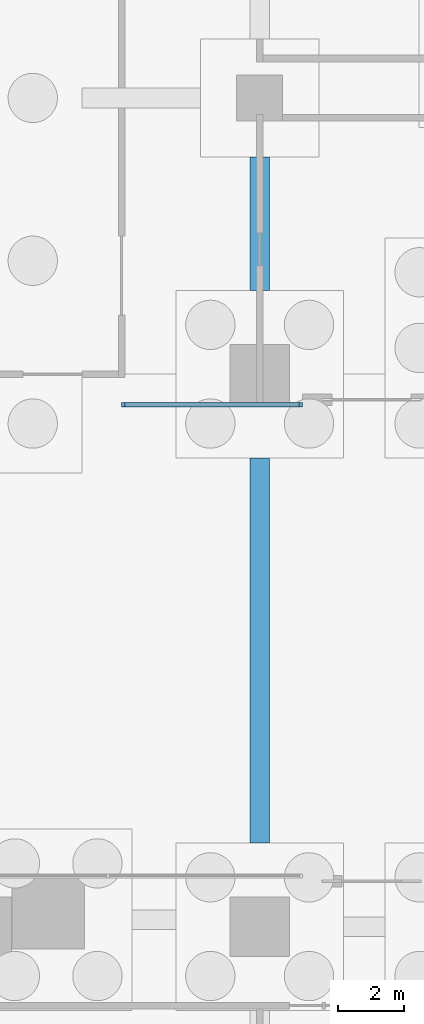
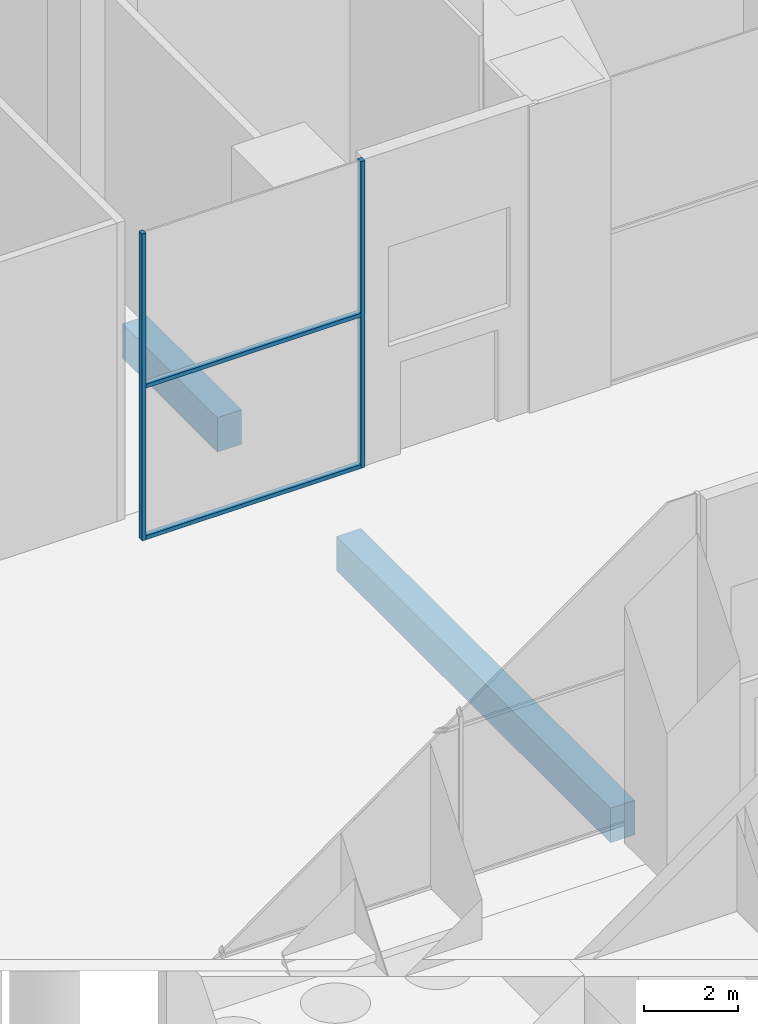
# One storey, part 7 of 31: 4 members, 2 beams, 1 element without a shape of its own.
"""IFC4 building model written with IfcOpenShell, lengths in metres."""

from ifc_helpers import new_model, si_unit, direction, frame, origin, origin_2d, place, context, subcontext, project, spatial, rectangle, extrude, material, layer, layer_set, material_profile, profile_set, type_object, element, aggregate, save


model = new_model("IFC4")

# Units and contexts
model_context = context("Model", 3, precision=1e-05, world=origin(), true_north=direction((0.0, 1.0)))
body_context = subcontext(model_context, "Body", "Model", "MODEL_VIEW")
ifc_project = project(units=[si_unit("LENGTHUNIT", "METRE"), si_unit("AREAUNIT", "SQUARE_METRE"), si_unit("VOLUMEUNIT", "CUBIC_METRE"), si_unit("PLANEANGLEUNIT", "RADIAN"), si_unit("MASSUNIT", "GRAM", prefix="KILO")], contexts=[model_context])

# Site, building, storey
site_placement = place(None, origin())
site = spatial("IfcSite", under=ifc_project, at=site_placement, CompositionType="ELEMENT")
building_placement = place(site_placement, origin())
building = spatial("IfcBuilding", under=site, at=building_placement, Name="Marenta Gate Hotel Tower", CompositionType="ELEMENT")
storey_placement = place(building_placement, origin())
storey = spatial("IfcBuildingStorey", under=building, at=storey_placement, Name="L00", CompositionType="ELEMENT", Elevation=0.0)

# Beams
ifc_material_1 = material(Name="Concrete C40", Category="concrete")
ifc_material_profile_1 = material_profile(ifc_material_1, rectangle(XDim=0.60009765625, YDim=0.89990234375, at=origin_2d()), Name="600 x 900")
ifc_profile_set_1 = profile_set([ifc_material_profile_1], Name="Concrete C40")
beam_type = type_object("IfcBeamType", Name="Ground beam 600 x 900 C40", PredefinedType="BEAM", material=ifc_profile_set_1)
beam_1_placement = place(storey_placement, frame((21.0, -14.25, -0.75), z_axis=(0.0, 1.0, 0.0), x_axis=(-1.0, 0.0, 0.0)))
element("IfcBeam", 1, at=beam_1_placement, inside=storey, type_object=beam_type, Name="L00-GB-67", PredefinedType="BEAM", context=body_context, shape_type="SweptSolid", body=[
    extrude(rectangle(XDim=0.60009765625, YDim=0.89990234375, at=origin_2d()), origin(), (0.0, 0.0, 1.0), 11.699951171875),
])
beam_2_placement = place(storey_placement, frame((21.0, 2.550048828125, -0.75), z_axis=(0.0, 1.0, 0.0), x_axis=(-1.0, 0.0, 0.0)))
element("IfcBeam", 2, at=beam_2_placement, inside=storey, type_object=beam_type, Name="L00-GB-68", PredefinedType="BEAM", context=body_context, shape_type="SweptSolid", body=[
    extrude(rectangle(XDim=0.60009765625, YDim=0.89990234375, at=origin_2d()), origin(), (0.0, 0.0, 1.0), 4.050048828125),
])

# Curtain wall, members
ifc_material_2 = material(Name="Tinted insulated glass in bronze anodised frame", Category="glass")
ifc_layer = layer(ifc_material_2, 0.139892578125)
ifc_layer_set = layer_set([ifc_layer], Name="Tinted insulated glass in bronze anodised frame")
curtain_wall_type = type_object("IfcCurtainWallType", Name="Hotel lobby glazing CW6", PredefinedType="NOTDEFINED", material=ifc_layer_set)
curtain_wall_placement = place(storey_placement, origin())
curtain_wall = element("IfcCurtainWall", 3, at=curtain_wall_placement, inside=storey, type_object=curtain_wall_type, Name="CW6 run NB-S100", PredefinedType="NOTDEFINED")
ifc_material_3 = material(Name="Bronze anodised aluminium", Category="aluminium")
ifc_material_profile_2 = material_profile(ifc_material_3, rectangle(XDim=0.139892578125, YDim=0.10009765625, at=origin_2d()), Name="Mullion CW6 100x140 bronze anodised aluminium")
ifc_profile_set_2 = profile_set([ifc_material_profile_2], Name="Bronze anodised aluminium")
member_type_1 = type_object("IfcMemberType", Name="Mullion CW6 100x140 bronze anodised aluminium", PredefinedType="MULLION", material=ifc_profile_set_2)
member_1_placement = place(storey_placement, frame((16.85009765625, -0.924072265625, 0.0), z_axis=(0.0, 0.0, 1.0), x_axis=(0.0, 1.0, 0.0)))
member_1 = element("IfcMember", 4, at=member_1_placement, type_object=member_type_1, Name="CW6 mullion 1", PredefinedType="MULLION", context=body_context, shape_type="SweptSolid", body=[
    extrude(rectangle(XDim=0.139892578125, YDim=0.10009765625, at=origin_2d()), origin(), (0.0, 0.0, 1.0), 8.0),
])
member_2_placement = place(storey_placement, frame((22.25, -0.924072265625, 0.0), z_axis=(0.0, 0.0, 1.0), x_axis=(0.0, 1.0, 0.0)))
member_2 = element("IfcMember", 5, at=member_2_placement, type_object=member_type_1, Name="CW6 mullion 2", PredefinedType="MULLION", context=body_context, shape_type="SweptSolid", body=[
    extrude(rectangle(XDim=0.139892578125, YDim=0.10009765625, at=origin_2d()), origin(), (0.0, 0.0, 1.0), 8.0),
])
ifc_material_4 = material(Name="Bronze anodised aluminium", Category="aluminium")
ifc_material_profile_3 = material_profile(ifc_material_4, rectangle(XDim=0.139892578125, YDim=0.10009765625, at=origin_2d()), Name="Transom CW6 100x140 bronze anodised aluminium")
ifc_profile_set_3 = profile_set([ifc_material_profile_3], Name="Bronze anodised aluminium")
member_type_2 = type_object("IfcMemberType", Name="Transom CW6 100x140 bronze anodised aluminium", PredefinedType="USERDEFINED", material=ifc_profile_set_3)
member_3_placement = place(storey_placement, frame((16.89990234375, -0.924072265625, 0.050048828125), z_axis=(1.0, 0.0, 0.0), x_axis=(0.0, 1.0, 0.0)))
member_3 = element("IfcMember", 6, at=member_3_placement, type_object=member_type_2, Name="CW6 transom 1.1", ObjectType="TRANSOM", PredefinedType="USERDEFINED", context=body_context, shape_type="SweptSolid", body=[
    extrude(rectangle(XDim=0.139892578125, YDim=0.10009765625, at=origin_2d()), origin(), (0.0, 0.0, 1.0), 5.300048828125),
])
member_4_placement = place(storey_placement, frame((16.89990234375, -0.924072265625, 4.0), z_axis=(1.0, 0.0, 0.0), x_axis=(0.0, 1.0, 0.0)))
member_4 = element("IfcMember", 7, at=member_4_placement, type_object=member_type_2, Name="CW6 transom 1.2", ObjectType="TRANSOM", PredefinedType="USERDEFINED", context=body_context, shape_type="SweptSolid", body=[
    extrude(rectangle(XDim=0.139892578125, YDim=0.10009765625, at=origin_2d()), origin(), (0.0, 0.0, 1.0), 5.300048828125),
])
aggregate(curtain_wall, [member_1, member_2, member_3, member_4])

save(model, "model.ifc")
